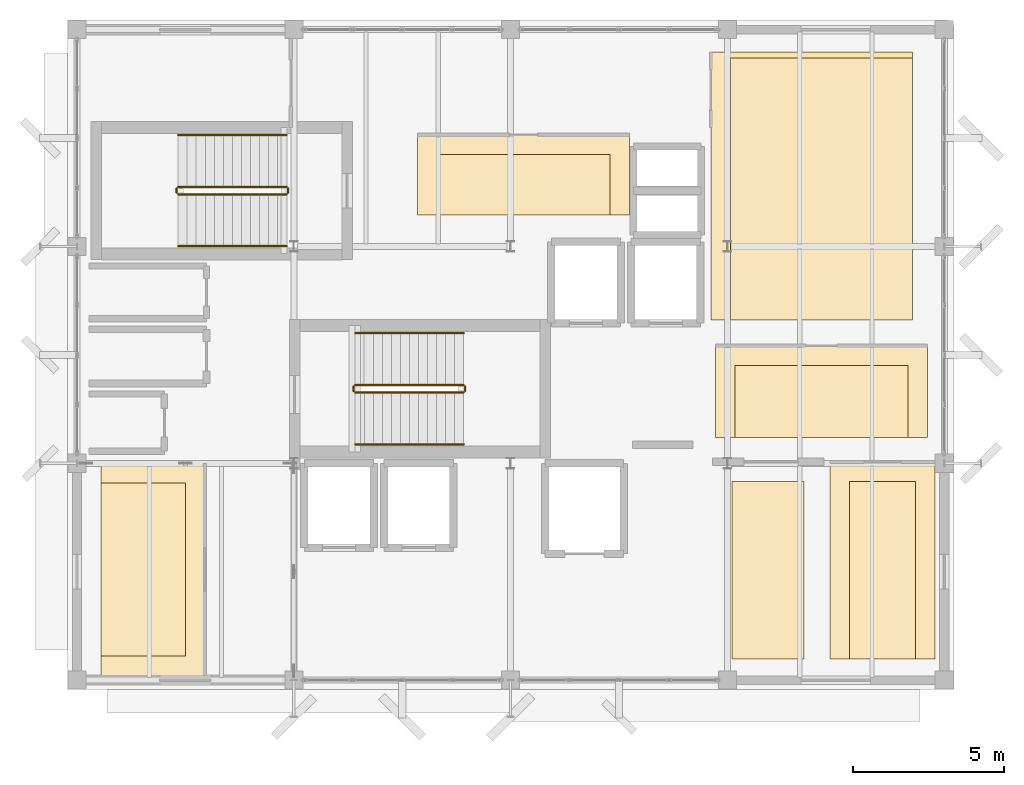
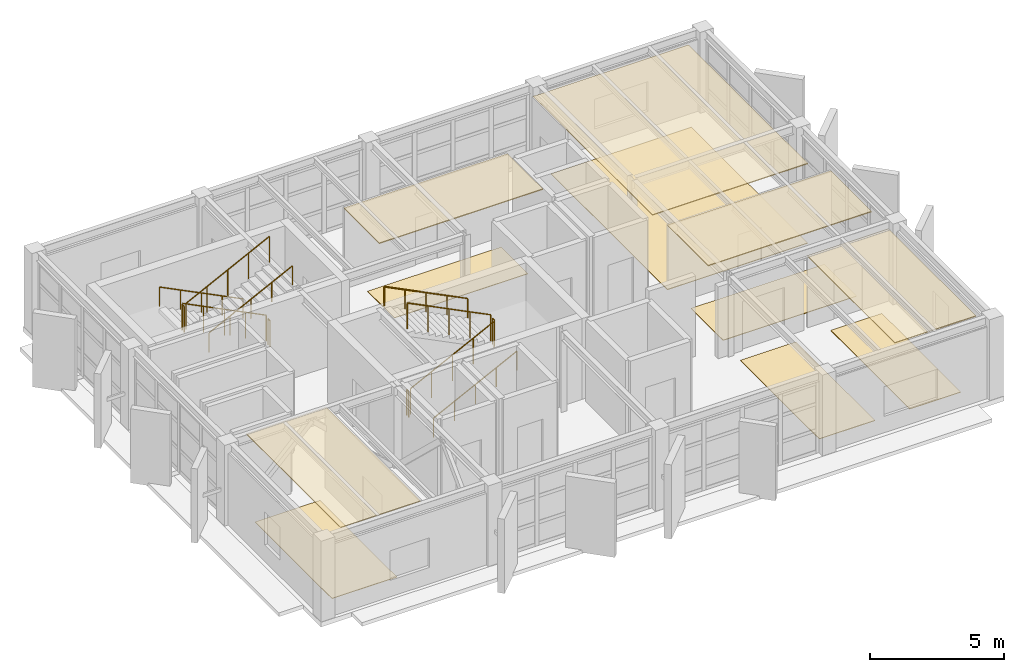
# One storey, part 15 of 15: 12 railings, 11 coverings.
"""IFC4 building model written with IfcOpenShell, lengths in metres."""

from ifc_helpers import new_model, si_unit, direction, frame, origin, origin_2d, place, context, subcontext, project, spatial, polyline, circle, outline, extrude, material, layer, layer_set, type_object, element, save


model = new_model("IFC4")

# Units and contexts
model_context = context("Model", 3, precision=1e-05, world=origin(), true_north=direction((0.0, 1.0)))
body_context = subcontext(model_context, "Body", "Model", "MODEL_VIEW")
ifc_project = project(units=[si_unit("LENGTHUNIT", "METRE"), si_unit("AREAUNIT", "SQUARE_METRE"), si_unit("VOLUMEUNIT", "CUBIC_METRE"), si_unit("PLANEANGLEUNIT", "RADIAN"), si_unit("MASSUNIT", "GRAM", prefix="KILO")], contexts=[model_context])

# Site, building, storey
site_placement = place(None, origin())
site = spatial("IfcSite", under=ifc_project, at=site_placement, CompositionType="ELEMENT")
building_placement = place(site_placement, origin())
building = spatial("IfcBuilding", under=site, at=building_placement, Name="Kandorven Conservatory and Botanical Research Centre", CompositionType="ELEMENT")
storey_placement = place(building_placement, frame((0.0, 0.0, 48.300048828125)))
storey = spatial("IfcBuildingStorey", under=building, at=storey_placement, Name="L12", CompositionType="ELEMENT", Elevation=48.300048828125)

# Coverings
ifc_material_1 = material(Name="Perforated mineral-fibre acoustic ceiling tile", Category="gypsum")
ifc_layer_1 = layer(ifc_material_1, 0.0400390625)
ifc_layer_set_1 = layer_set([ifc_layer_1], Name="Perforated mineral-fibre acoustic ceiling tile")
covering_type_1 = type_object("IfcCoveringType", Name="Cov_Ceiling_1", PredefinedType="CEILING", material=ifc_layer_set_1)
covering_1_placement = place(storey_placement, frame((0.0, 0.0, 3.619873046875)))
element("IfcCovering", 1, at=covering_1_placement, inside=storey, type_object=covering_type_1, Name="Suspended acoustic ceiling CLG-01 (Dryland Flora Research Laboratory L12)", PredefinedType="CEILING", context=body_context, shape_type="SweptSolid", body=[
    extrude(outline(polyline([(17.300048828125, 21.449951171875), (24.35009765625, 21.449951171875), (24.35009765625, 24.10009765625), (17.300048828125, 24.10009765625), (17.300048828125, 21.449951171875)])), origin(), (0.0, 0.0, 1.0), 0.0400390625),
])
covering_2_placement = place(storey_placement, frame((0.0, 0.0, 3.619873046875)))
element("IfcCovering", 2, at=covering_2_placement, inside=storey, type_object=covering_type_1, Name="Suspended acoustic ceiling CLG-01 (Seed Ecology Research Studio L12)", PredefinedType="CEILING", context=body_context, shape_type="SweptSolid", body=[
    extrude(outline(polyline([(27.199951171875, 14.050048828125), (34.25, 14.050048828125), (34.25, 17.10009765625), (27.199951171875, 17.10009765625), (27.199951171875, 14.050048828125)])), origin(), (0.0, 0.0, 1.0), 0.0400390625),
])
covering_3_placement = place(storey_placement, frame((0.0, 0.0, 3.22998046875)))
element("IfcCovering", 3, at=covering_3_placement, inside=storey, type_object=covering_type_1, Name="Suspended acoustic ceiling CLG-01 (Arid Zone Ecology Research Laboratory L12)", PredefinedType="CEILING", context=body_context, shape_type="SweptSolid", body=[
    extrude(outline(polyline([(31.0, 6.699951171875), (34.5, 6.699951171875), (34.5, 13.25), (31.0, 13.25), (31.0, 6.699951171875)])), origin(), (0.0, 0.0, 1.0), 0.0400390625),
])
covering_4_placement = place(storey_placement, frame((0.0, 0.0, 3.619873046875)))
element("IfcCovering", 4, at=covering_4_placement, inside=storey, type_object=covering_type_1, Name="Suspended acoustic ceiling CLG-01 (Botanical GIS and Remote Sensing Laboratory L12)", PredefinedType="CEILING", context=body_context, shape_type="SweptSolid", body=[
    extrude(outline(polyline([(27.050048828125, 17.949951171875), (33.75, 17.949951171875), (33.75, 26.85009765625), (27.050048828125, 26.85009765625), (27.050048828125, 17.949951171875)])), origin(), (0.0, 0.0, 1.0), 0.0400390625),
])
covering_5_placement = place(storey_placement, frame((0.0, 0.0, 3.619873046875)))
element("IfcCovering", 5, at=covering_5_placement, inside=storey, type_object=covering_type_1, Name="Suspended acoustic ceiling CLG-01 (Herbarium Research Seminar Room L12)", PredefinedType="CEILING", context=body_context, shape_type="SweptSolid", body=[
    extrude(outline(polyline([(6.800048828125, 6.14990234375), (10.25, 6.14990234375), (10.25, 13.199951171875), (6.800048828125, 13.199951171875), (6.800048828125, 6.14990234375)])), origin(), (0.0, 0.0, 1.0), 0.0400390625),
])
ifc_material_2 = material(Name="Honed Kota stone and epoxy laboratory flooring", Category="masonry")
ifc_layer_2 = layer(ifc_material_2, 0.02490234375)
ifc_layer_set_2 = layer_set([ifc_layer_2], Name="Honed Kota stone and epoxy laboratory flooring")
covering_type_2 = type_object("IfcCoveringType", Name="Cov_Flooring_1", PredefinedType="FLOORING", material=ifc_layer_set_2)
covering_6_placement = place(storey_placement, origin())
element("IfcCovering", 6, at=covering_6_placement, inside=storey, type_object=covering_type_2, Name="Floor finish FLR-01 (Dryland Flora Research Laboratory L12)", PredefinedType="FLOORING", context=body_context, shape_type="SweptSolid", body=[
    extrude(outline(polyline([(17.949951171875, 21.449951171875), (23.699951171875, 21.449951171875), (23.699951171875, 23.449951171875), (17.949951171875, 23.449951171875), (17.949951171875, 21.449951171875)])), origin(), (0.0, 0.0, 1.0), 0.02490234375),
])
covering_7_placement = place(storey_placement, origin())
element("IfcCovering", 7, at=covering_7_placement, inside=storey, type_object=covering_type_2, Name="Floor finish FLR-01 (Seed Ecology Research Studio L12)", PredefinedType="FLOORING", context=body_context, shape_type="SweptSolid", body=[
    extrude(outline(polyline([(27.85009765625, 14.050048828125), (33.60009765625, 14.050048828125), (33.60009765625, 16.449951171875), (27.85009765625, 16.449951171875), (27.85009765625, 14.050048828125)])), origin(), (0.0, 0.0, 1.0), 0.02490234375),
])
covering_8_placement = place(storey_placement, origin())
element("IfcCovering", 8, at=covering_8_placement, inside=storey, type_object=covering_type_2, Name="Floor finish FLR-01 (Regional Flora Herbarium Archive L12)", PredefinedType="FLOORING", context=body_context, shape_type="SweptSolid", body=[
    extrude(outline(polyline([(27.75, 6.699951171875), (30.14990234375, 6.699951171875), (30.14990234375, 12.60009765625), (27.75, 12.60009765625), (27.75, 6.699951171875)])), origin(), (0.0, 0.0, 1.0), 0.02490234375),
])
covering_9_placement = place(storey_placement, origin())
element("IfcCovering", 9, at=covering_9_placement, inside=storey, type_object=covering_type_2, Name="Floor finish FLR-01 (Arid Zone Ecology Research Laboratory L12)", PredefinedType="FLOORING", context=body_context, shape_type="SweptSolid", body=[
    extrude(outline(polyline([(31.64990234375, 6.699951171875), (33.85009765625, 6.699951171875), (33.85009765625, 12.60009765625), (31.64990234375, 12.60009765625), (31.64990234375, 6.699951171875)])), origin(), (0.0, 0.0, 1.0), 0.02490234375),
])
covering_10_placement = place(storey_placement, origin())
element("IfcCovering", 10, at=covering_10_placement, inside=storey, type_object=covering_type_2, Name="Floor finish FLR-01 (Botanical GIS and Remote Sensing Laboratory L12)", PredefinedType="FLOORING", context=body_context, shape_type="SweptSolid", body=[
    extrude(outline(polyline([(27.699951171875, 17.949951171875), (33.75, 17.949951171875), (33.75, 26.64990234375), (27.699951171875, 26.64990234375), (27.699951171875, 17.949951171875)])), origin(), (0.0, 0.0, 1.0), 0.02490234375),
])
covering_11_placement = place(storey_placement, origin())
element("IfcCovering", 11, at=covering_11_placement, inside=storey, type_object=covering_type_2, Name="Floor finish FLR-01 (Herbarium Research Seminar Room L12)", PredefinedType="FLOORING", context=body_context, shape_type="SweptSolid", body=[
    extrude(outline(polyline([(6.800048828125, 6.800048828125), (9.60009765625, 6.800048828125), (9.60009765625, 12.550048828125), (6.800048828125, 12.550048828125), (6.800048828125, 6.800048828125)])), origin(), (0.0, 0.0, 1.0), 0.02490234375),
])

# Railings
ifc_material_3 = material(Name="Steel S355 (IS 2062 E350)", Category="steel")
railing_type_1 = type_object("IfcRailingType", Name="StairGuard_1150", PredefinedType="BALUSTRADE", material=ifc_material_3)
railing_1_placement = place(storey_placement, frame((15.239990234375, 15.550048828125, 0.14990234375)))
element("IfcRailing", 12, at=railing_1_placement, inside=storey, type_object=railing_type_1, Name="L12 ST-T1 stair guard 1", PredefinedType="BALUSTRADE", context=body_context, shape_type="SweptSolid", body=[
    extrude(circle(Radius=0.02392578125, at=origin_2d()), frame((0.0, 0.0, 1.17578125), z_axis=(0.894427191, 0.0, 0.4472135955), x_axis=(0.0, 1.0, 0.0)), (0.0, 0.0, 1.0), 4.025146484375),
    extrude(circle(Radius=0.02099609375, at=origin_2d()), origin(), (0.0, 0.0, 1.0), 1.15185546875),
    extrude(circle(Radius=0.02099609375, at=origin_2d()), frame((0.89990234375, 0.0, 0.449951171875)), (0.0, 0.0, 1.0), 1.15185546875),
    extrude(circle(Radius=0.02099609375, at=origin_2d()), frame((1.800048828125, 0.0, 0.89990234375)), (0.0, 0.0, 1.0), 1.15185546875),
    extrude(circle(Radius=0.02099609375, at=origin_2d()), frame((2.7001953125, 0.0, 1.35009765625)), (0.0, 0.0, 1.0), 1.15185546875),
    extrude(circle(Radius=0.02099609375, at=origin_2d()), frame((3.60009765625, 0.0, 1.800048828125)), (0.0, 0.0, 1.0), 1.15185546875),
])
railing_2_placement = place(storey_placement, frame((18.889892578125, 15.60009765625, 1.949951171875)))
element("IfcRailing", 13, at=railing_2_placement, inside=storey, type_object=railing_type_1, Name="L12 ST-T1 stair guard 2", PredefinedType="BALUSTRADE", context=body_context, shape_type="SweptSolid", body=[
    extrude(circle(Radius=0.02392578125, at=origin_2d()), frame((0.0, 0.0, 1.17578125), z_axis=(0.0, 1.0, 0.0), x_axis=(-1.0, 0.0, 0.0)), (0.0, 0.0, 1.0), 0.14990234375),
    extrude(circle(Radius=0.02099609375, at=origin_2d()), origin(), (0.0, 0.0, 1.0), 1.15185546875),
    extrude(circle(Radius=0.02099609375, at=origin_2d()), frame((0.0, 0.14990234375, 0.0)), (0.0, 0.0, 1.0), 1.15185546875),
])
railing_3_placement = place(storey_placement, frame((18.840087890625, 15.800048828125, 2.099853515625)))
element("IfcRailing", 14, at=railing_3_placement, inside=storey, type_object=railing_type_1, Name="L12 ST-T1 stair guard 3", PredefinedType="BALUSTRADE", context=body_context, shape_type="SweptSolid", body=[
    extrude(circle(Radius=0.02392578125, at=origin_2d()), frame((0.0, 0.0, 1.17578125), z_axis=(-0.894427191, 0.0, 0.4472135955), x_axis=(0.0, -1.0, 0.0)), (0.0, 0.0, 1.0), 4.025146484375),
    extrude(circle(Radius=0.02099609375, at=origin_2d()), origin(), (0.0, 0.0, 1.0), 1.15185546875),
    extrude(circle(Radius=0.02099609375, at=origin_2d()), frame((-0.89990234375, 0.0, 0.449951171875)), (0.0, 0.0, 1.0), 1.15185546875),
    extrude(circle(Radius=0.02099609375, at=origin_2d()), frame((-1.800048828125, 0.0, 0.89990234375)), (0.0, 0.0, 1.0), 1.15185546875),
    extrude(circle(Radius=0.02099609375, at=origin_2d()), frame((-2.7001953125, 0.0, 1.35009765625)), (0.0, 0.0, 1.0), 1.15185546875),
    extrude(circle(Radius=0.02099609375, at=origin_2d()), frame((-3.60009765625, 0.0, 1.800048828125)), (0.0, 0.0, 1.0), 1.15185546875),
])
railing_4_placement = place(storey_placement, frame((15.18994140625, 15.60009765625, 0.0)))
element("IfcRailing", 15, at=railing_4_placement, inside=storey, type_object=railing_type_1, Name="L12 ST-T1 stair guard 4", PredefinedType="BALUSTRADE", context=body_context, shape_type="SweptSolid", body=[
    extrude(circle(Radius=0.02392578125, at=origin_2d()), frame((0.0, 0.0, 1.17578125), z_axis=(0.0, 1.0, 0.0), x_axis=(-1.0, 0.0, 0.0)), (0.0, 0.0, 1.0), 0.14990234375),
    extrude(circle(Radius=0.02099609375, at=origin_2d()), origin(), (0.0, 0.0, 1.0), 1.15185546875),
    extrude(circle(Radius=0.02099609375, at=origin_2d()), frame((0.0, 0.14990234375, 0.0)), (0.0, 0.0, 1.0), 1.15185546875),
])
railing_5_placement = place(storey_placement, frame((12.9599609375, 22.3798828125, 0.14990234375)))
element("IfcRailing", 16, at=railing_5_placement, inside=storey, type_object=railing_type_1, Name="L12 ST-T2 stair guard 1", PredefinedType="BALUSTRADE", context=body_context, shape_type="SweptSolid", body=[
    extrude(circle(Radius=0.02392578125, at=origin_2d()), frame((0.0, 0.0, 1.17578125), z_axis=(-0.894415058897, 0.0, 0.447237858884), x_axis=(0.0, -1.0, 0.0)), (0.0, 0.0, 1.0), 4.02490234375),
    extrude(circle(Radius=0.02099609375, at=origin_2d()), origin(), (0.0, 0.0, 1.0), 1.15185546875),
    extrude(circle(Radius=0.02099609375, at=origin_2d()), frame((-0.89990234375, 0.0, 0.449951171875)), (0.0, 0.0, 1.0), 1.15185546875),
    extrude(circle(Radius=0.02099609375, at=origin_2d()), frame((-1.7998046875, 0.0, 0.89990234375)), (0.0, 0.0, 1.0), 1.15185546875),
    extrude(circle(Radius=0.02099609375, at=origin_2d()), frame((-2.699951171875, 0.0, 1.35009765625)), (0.0, 0.0, 1.0), 1.15185546875),
    extrude(circle(Radius=0.02099609375, at=origin_2d()), frame((-3.599853515625, 0.0, 1.800048828125)), (0.0, 0.0, 1.0), 1.15185546875),
])
railing_6_placement = place(storey_placement, frame((9.31005859375, 22.330078125, 1.949951171875)))
element("IfcRailing", 17, at=railing_6_placement, inside=storey, type_object=railing_type_1, Name="L12 ST-T2 stair guard 2", PredefinedType="BALUSTRADE", context=body_context, shape_type="SweptSolid", body=[
    extrude(circle(Radius=0.02392578125, at=origin_2d()), frame((0.0, 0.0, 1.17578125), z_axis=(0.0, -1.0, 0.0), x_axis=(1.0, 0.0, 0.0)), (0.0, 0.0, 1.0), 0.150146484375),
    extrude(circle(Radius=0.02099609375, at=origin_2d()), origin(), (0.0, 0.0, 1.0), 1.15185546875),
    extrude(circle(Radius=0.02099609375, at=origin_2d()), frame((0.0, -0.150146484375, 0.0)), (0.0, 0.0, 1.0), 1.15185546875),
])
railing_7_placement = place(storey_placement, frame((9.360107421875, 22.1298828125, 2.099853515625)))
element("IfcRailing", 18, at=railing_7_placement, inside=storey, type_object=railing_type_1, Name="L12 ST-T2 stair guard 3", PredefinedType="BALUSTRADE", context=body_context, shape_type="SweptSolid", body=[
    extrude(circle(Radius=0.02392578125, at=origin_2d()), frame((0.0, 0.0, 1.17578125), z_axis=(0.894415058897, 0.0, 0.447237858884), x_axis=(0.0, 1.0, 0.0)), (0.0, 0.0, 1.0), 4.02490234375),
    extrude(circle(Radius=0.02099609375, at=origin_2d()), origin(), (0.0, 0.0, 1.0), 1.15185546875),
    extrude(circle(Radius=0.02099609375, at=origin_2d()), frame((0.89990234375, 0.0, 0.449951171875)), (0.0, 0.0, 1.0), 1.15185546875),
    extrude(circle(Radius=0.02099609375, at=origin_2d()), frame((1.7998046875, 0.0, 0.89990234375)), (0.0, 0.0, 1.0), 1.15185546875),
    extrude(circle(Radius=0.02099609375, at=origin_2d()), frame((2.699951171875, 0.0, 1.35009765625)), (0.0, 0.0, 1.0), 1.15185546875),
    extrude(circle(Radius=0.02099609375, at=origin_2d()), frame((3.599853515625, 0.0, 1.800048828125)), (0.0, 0.0, 1.0), 1.15185546875),
])
railing_8_placement = place(storey_placement, frame((13.010009765625, 22.330078125, 0.0)))
element("IfcRailing", 19, at=railing_8_placement, inside=storey, type_object=railing_type_1, Name="L12 ST-T2 stair guard 4", PredefinedType="BALUSTRADE", context=body_context, shape_type="SweptSolid", body=[
    extrude(circle(Radius=0.02392578125, at=origin_2d()), frame((0.0, 0.0, 1.17578125), z_axis=(0.0, -1.0, 0.0), x_axis=(1.0, 0.0, 0.0)), (0.0, 0.0, 1.0), 0.150146484375),
    extrude(circle(Radius=0.02099609375, at=origin_2d()), origin(), (0.0, 0.0, 1.0), 1.15185546875),
    extrude(circle(Radius=0.02099609375, at=origin_2d()), frame((0.0, -0.150146484375, 0.0)), (0.0, 0.0, 1.0), 1.15185546875),
])
ifc_material_4 = material(Name="Steel S355 (IS 2062 E350)", Category="steel")
railing_type_2 = type_object("IfcRailingType", Name="StairHandrail_900", PredefinedType="HANDRAIL", material=ifc_material_4)
railing_9_placement = place(storey_placement, frame((15.239990234375, 13.830078125, 0.14990234375)))
element("IfcRailing", 20, at=railing_9_placement, inside=storey, type_object=railing_type_2, Name="L12 ST-T1 stair handrail 1", PredefinedType="HANDRAIL", context=body_context, shape_type="SweptSolid", body=[
    extrude(circle(Radius=0.02392578125, at=origin_2d()), frame((0.0, 0.0, 0.8759765625), z_axis=(0.894427191, 0.0, 0.4472135955), x_axis=(0.0, 1.0, 0.0)), (0.0, 0.0, 1.0), 4.025146484375),
    extrude(circle(Radius=0.02099609375, at=origin_2d()), origin(), (0.0, 0.0, 1.0), 0.851806640625),
    extrude(circle(Radius=0.02099609375, at=origin_2d()), frame((0.89990234375, 0.0, 0.449951171875)), (0.0, 0.0, 1.0), 0.851806640625),
    extrude(circle(Radius=0.02099609375, at=origin_2d()), frame((1.800048828125, 0.0, 0.89990234375)), (0.0, 0.0, 1.0), 0.851806640625),
    extrude(circle(Radius=0.02099609375, at=origin_2d()), frame((2.7001953125, 0.0, 1.35009765625)), (0.0, 0.0, 1.0), 0.851806640625),
    extrude(circle(Radius=0.02099609375, at=origin_2d()), frame((3.60009765625, 0.0, 1.800048828125)), (0.0, 0.0, 1.0), 0.851806640625),
])
railing_10_placement = place(storey_placement, frame((18.840087890625, 17.52001953125, 2.099853515625)))
element("IfcRailing", 21, at=railing_10_placement, inside=storey, type_object=railing_type_2, Name="L12 ST-T1 stair handrail 2", PredefinedType="HANDRAIL", context=body_context, shape_type="SweptSolid", body=[
    extrude(circle(Radius=0.02392578125, at=origin_2d()), frame((0.0, 0.0, 0.8759765625), z_axis=(-0.894427191, 0.0, 0.4472135955), x_axis=(0.0, -1.0, 0.0)), (0.0, 0.0, 1.0), 4.025146484375),
    extrude(circle(Radius=0.02099609375, at=origin_2d()), origin(), (0.0, 0.0, 1.0), 0.851806640625),
    extrude(circle(Radius=0.02099609375, at=origin_2d()), frame((-0.89990234375, 0.0, 0.449951171875)), (0.0, 0.0, 1.0), 0.851806640625),
    extrude(circle(Radius=0.02099609375, at=origin_2d()), frame((-1.800048828125, 0.0, 0.89990234375)), (0.0, 0.0, 1.0), 0.851806640625),
    extrude(circle(Radius=0.02099609375, at=origin_2d()), frame((-2.7001953125, 0.0, 1.35009765625)), (0.0, 0.0, 1.0), 0.851806640625),
    extrude(circle(Radius=0.02099609375, at=origin_2d()), frame((-3.60009765625, 0.0, 1.800048828125)), (0.0, 0.0, 1.0), 0.851806640625),
])
railing_11_placement = place(storey_placement, frame((12.9599609375, 24.10009765625, 0.14990234375)))
element("IfcRailing", 22, at=railing_11_placement, inside=storey, type_object=railing_type_2, Name="L12 ST-T2 stair handrail 1", PredefinedType="HANDRAIL", context=body_context, shape_type="SweptSolid", body=[
    extrude(circle(Radius=0.02392578125, at=origin_2d()), frame((0.0, 0.0, 0.8759765625), z_axis=(-0.894415058897, 0.0, 0.447237858884), x_axis=(0.0, -1.0, 0.0)), (0.0, 0.0, 1.0), 4.02490234375),
    extrude(circle(Radius=0.02099609375, at=origin_2d()), origin(), (0.0, 0.0, 1.0), 0.851806640625),
    extrude(circle(Radius=0.02099609375, at=origin_2d()), frame((-0.89990234375, 0.0, 0.449951171875)), (0.0, 0.0, 1.0), 0.851806640625),
    extrude(circle(Radius=0.02099609375, at=origin_2d()), frame((-1.7998046875, 0.0, 0.89990234375)), (0.0, 0.0, 1.0), 0.851806640625),
    extrude(circle(Radius=0.02099609375, at=origin_2d()), frame((-2.699951171875, 0.0, 1.35009765625)), (0.0, 0.0, 1.0), 0.851806640625),
    extrude(circle(Radius=0.02099609375, at=origin_2d()), frame((-3.599853515625, 0.0, 1.800048828125)), (0.0, 0.0, 1.0), 0.851806640625),
])
railing_12_placement = place(storey_placement, frame((9.360107421875, 20.409912109375, 2.099853515625)))
element("IfcRailing", 23, at=railing_12_placement, inside=storey, type_object=railing_type_2, Name="L12 ST-T2 stair handrail 2", PredefinedType="HANDRAIL", context=body_context, shape_type="SweptSolid", body=[
    extrude(circle(Radius=0.02392578125, at=origin_2d()), frame((0.0, 0.0, 0.8759765625), z_axis=(0.894415058897, 0.0, 0.447237858884), x_axis=(0.0, 1.0, 0.0)), (0.0, 0.0, 1.0), 4.02490234375),
    extrude(circle(Radius=0.02099609375, at=origin_2d()), origin(), (0.0, 0.0, 1.0), 0.851806640625),
    extrude(circle(Radius=0.02099609375, at=origin_2d()), frame((0.89990234375, 0.0, 0.449951171875)), (0.0, 0.0, 1.0), 0.851806640625),
    extrude(circle(Radius=0.02099609375, at=origin_2d()), frame((1.7998046875, 0.0, 0.89990234375)), (0.0, 0.0, 1.0), 0.851806640625),
    extrude(circle(Radius=0.02099609375, at=origin_2d()), frame((2.699951171875, 0.0, 1.35009765625)), (0.0, 0.0, 1.0), 0.851806640625),
    extrude(circle(Radius=0.02099609375, at=origin_2d()), frame((3.599853515625, 0.0, 1.800048828125)), (0.0, 0.0, 1.0), 0.851806640625),
])

save(model, "model.ifc")
